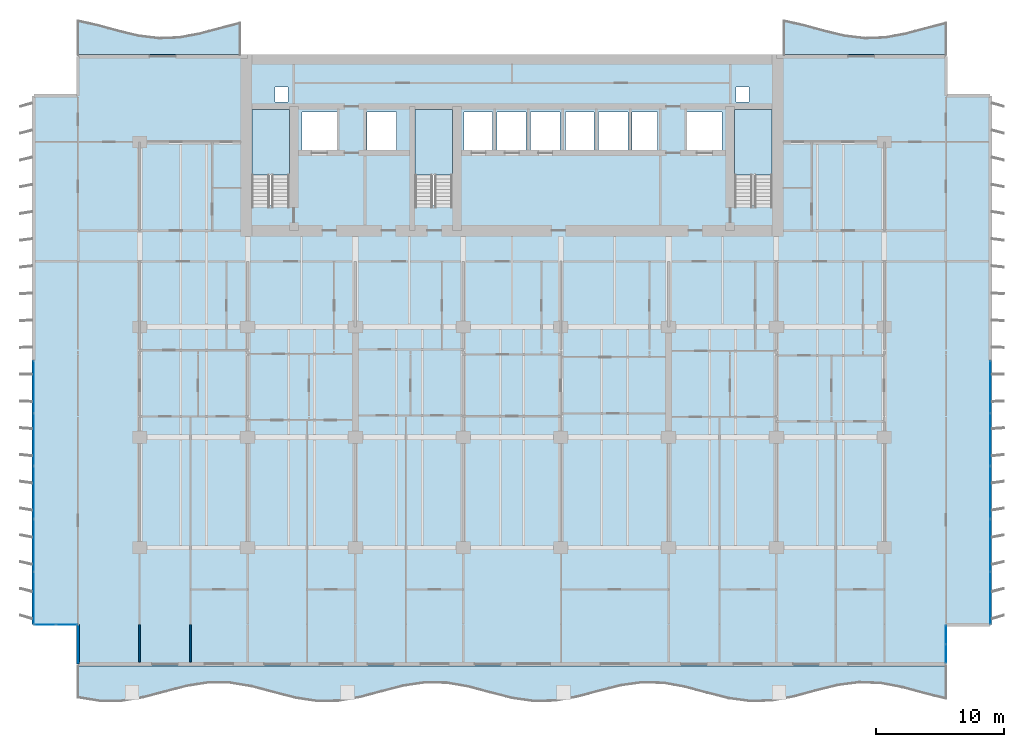
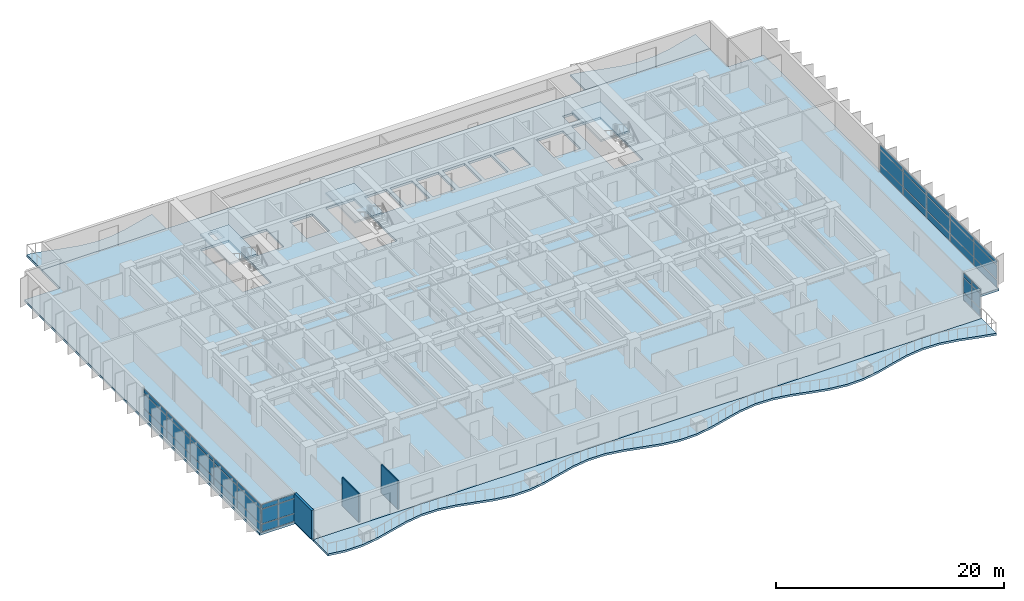
# One storey, part 5 of 17: 42 plates, 7 slabs, 3 walls, 7 elements without a shape of their own.
"""IFC4 building model written with IfcOpenShell, lengths in metres."""

from ifc_helpers import new_model, si_unit, direction, frame, frame_2d, origin, origin_2d, place, context, subcontext, project, spatial, polyline, rectangle, outline, extrude, material, layer, layer_set, type_object, element, aggregate, save


model = new_model("IFC4")

# Units and contexts
model_context = context("Model", 3, precision=1e-05, world=origin(), true_north=direction((0.0, 1.0)))
body_context = subcontext(model_context, "Body", "Model", "MODEL_VIEW")
ifc_project = project(units=[si_unit("LENGTHUNIT", "METRE"), si_unit("AREAUNIT", "SQUARE_METRE"), si_unit("VOLUMEUNIT", "CUBIC_METRE"), si_unit("PLANEANGLEUNIT", "RADIAN"), si_unit("MASSUNIT", "GRAM", prefix="KILO")], contexts=[model_context])

# Site, building, storey
site_placement = place(None, origin())
site = spatial("IfcSite", under=ifc_project, at=site_placement, CompositionType="ELEMENT")
building_placement = place(site_placement, origin())
building = spatial("IfcBuilding", under=site, at=building_placement, Name="Caelmar Bay Residences", CompositionType="ELEMENT")
storey_placement = place(building_placement, frame((0.0, 0.0, 33.300048828125)))
storey = spatial("IfcBuildingStorey", under=building, at=storey_placement, Name="L07", CompositionType="ELEMENT", Elevation=33.300048828125)

# Curtain wall, plates
ifc_material_1 = material(Name="Anodised bronze aluminium 6063-T6 and laminated glass", Category="aluminium")
ifc_layer_1 = layer(ifc_material_1, 0.179931640625)
ifc_layer_set_1 = layer_set([ifc_layer_1], Name="Anodised bronze aluminium 6063-T6 and laminated glass")
curtain_wall_type_1 = type_object("IfcCurtainWallType", Name="CW6-NTC", PredefinedType="NOTDEFINED", material=ifc_layer_set_1)
curtain_wall_1_placement = place(storey_placement, origin())
curtain_wall_1 = element("IfcCurtainWall", 1, at=curtain_wall_1_placement, inside=storey, type_object=curtain_wall_type_1, Name="CW6 curtain wall L07", PredefinedType="NOTDEFINED")
ifc_material_2 = material(Name="Bronze-tinted laminated low-E hurricane glass 28 mm", Category="glass")
ifc_layer_2 = layer(ifc_material_2, 0.028076171875)
ifc_layer_set_2 = layer_set([ifc_layer_2], Name="Bronze-tinted laminated low-E hurricane glass 28 mm")
plate_type = type_object("IfcPlateType", Name="CWP-GLZ28", PredefinedType="CURTAIN_PANEL", material=ifc_layer_set_2)
plate_1_placement = place(storey_placement, frame((2.532470703125, 6.199951171875, 0.080078125), z_axis=(0.0, 0.0, 1.0), x_axis=(1.0, 0.0, 0.0)))
plate_1 = element("IfcPlate", 2, at=plate_1_placement, type_object=plate_type, Name="CW6 panel 1.1", PredefinedType="CURTAIN_PANEL", context=body_context, shape_type="SweptSolid", body=[
    extrude(rectangle(XDim=1.60498046875, YDim=0.028076171875, at=origin_2d()), origin(), (0.0, 0.0, 1.0), 0.780029296875),
])
plate_2_placement = place(storey_placement, frame((2.532470703125, 6.199951171875, 0.93994140625), z_axis=(0.0, 0.0, 1.0), x_axis=(1.0, 0.0, 0.0)))
plate_2 = element("IfcPlate", 3, at=plate_2_placement, type_object=plate_type, Name="CW6 panel 1.2", PredefinedType="CURTAIN_PANEL", context=body_context, shape_type="SweptSolid", body=[
    extrude(rectangle(XDim=1.60498046875, YDim=0.028076171875, at=origin_2d()), origin(), (0.0, 0.0, 1.0), 1.52001953125),
])
plate_3_placement = place(storey_placement, frame((2.532470703125, 6.199951171875, 2.5400390625), z_axis=(0.0, 0.0, 1.0), x_axis=(1.0, 0.0, 0.0)))
plate_3 = element("IfcPlate", 4, at=plate_3_placement, type_object=plate_type, Name="CW6 panel 1.3", PredefinedType="CURTAIN_PANEL", context=body_context, shape_type="SweptSolid", body=[
    extrude(rectangle(XDim=1.60498046875, YDim=0.028076171875, at=origin_2d()), origin(), (0.0, 0.0, 1.0), 0.429931640625),
])
plate_4_placement = place(storey_placement, frame((4.217529296875, 6.199951171875, 0.080078125), z_axis=(0.0, 0.0, 1.0), x_axis=(1.0, 0.0, 0.0)))
plate_4 = element("IfcPlate", 5, at=plate_4_placement, type_object=plate_type, Name="CW6 panel 2.1", PredefinedType="CURTAIN_PANEL", context=body_context, shape_type="SweptSolid", body=[
    extrude(rectangle(XDim=1.60498046875, YDim=0.028076171875, at=origin_2d()), origin(), (0.0, 0.0, 1.0), 0.780029296875),
])
plate_5_placement = place(storey_placement, frame((4.217529296875, 6.199951171875, 0.93994140625), z_axis=(0.0, 0.0, 1.0), x_axis=(1.0, 0.0, 0.0)))
plate_5 = element("IfcPlate", 6, at=plate_5_placement, type_object=plate_type, Name="CW6 panel 2.2", PredefinedType="CURTAIN_PANEL", context=body_context, shape_type="SweptSolid", body=[
    extrude(rectangle(XDim=1.60498046875, YDim=0.028076171875, at=origin_2d()), origin(), (0.0, 0.0, 1.0), 1.52001953125),
])
plate_6_placement = place(storey_placement, frame((4.217529296875, 6.199951171875, 2.5400390625), z_axis=(0.0, 0.0, 1.0), x_axis=(1.0, 0.0, 0.0)))
plate_6 = element("IfcPlate", 7, at=plate_6_placement, type_object=plate_type, Name="CW6 panel 2.3", PredefinedType="CURTAIN_PANEL", context=body_context, shape_type="SweptSolid", body=[
    extrude(rectangle(XDim=1.60498046875, YDim=0.028076171875, at=origin_2d()), origin(), (0.0, 0.0, 1.0), 0.429931640625),
])
aggregate(curtain_wall_1, [plate_1, plate_2, plate_3, plate_4, plate_5, plate_6])

curtain_wall_2_placement = place(storey_placement, origin())
curtain_wall_2 = element("IfcCurtainWall", 8, at=curtain_wall_2_placement, inside=storey, type_object=curtain_wall_type_1, Name="CW6 curtain wall L07", PredefinedType="NOTDEFINED")
plate_7_placement = place(storey_placement, frame((72.699951171875, 3.9326171875, 0.080078125), z_axis=(0.0, 0.0, 1.0), x_axis=(0.0, 1.0, 0.0)))
plate_7 = element("IfcPlate", 9, at=plate_7_placement, type_object=plate_type, Name="CW6 panel 1.1", PredefinedType="CURTAIN_PANEL", context=body_context, shape_type="SweptSolid", body=[
    extrude(rectangle(XDim=1.405029296875, YDim=0.028076171875, at=origin_2d()), origin(), (0.0, 0.0, 1.0), 0.780029296875),
])
plate_8_placement = place(storey_placement, frame((72.699951171875, 3.9326171875, 0.93994140625), z_axis=(0.0, 0.0, 1.0), x_axis=(0.0, 1.0, 0.0)))
plate_8 = element("IfcPlate", 10, at=plate_8_placement, type_object=plate_type, Name="CW6 panel 1.2", PredefinedType="CURTAIN_PANEL", context=body_context, shape_type="SweptSolid", body=[
    extrude(rectangle(XDim=1.405029296875, YDim=0.028076171875, at=origin_2d()), origin(), (0.0, 0.0, 1.0), 1.52001953125),
])
plate_9_placement = place(storey_placement, frame((72.699951171875, 3.9326171875, 2.5400390625), z_axis=(0.0, 0.0, 1.0), x_axis=(0.0, 1.0, 0.0)))
plate_9 = element("IfcPlate", 11, at=plate_9_placement, type_object=plate_type, Name="CW6 panel 1.3", PredefinedType="CURTAIN_PANEL", context=body_context, shape_type="SweptSolid", body=[
    extrude(rectangle(XDim=1.405029296875, YDim=0.028076171875, at=origin_2d()), origin(), (0.0, 0.0, 1.0), 0.429931640625),
])
plate_10_placement = place(storey_placement, frame((72.699951171875, 5.41748046875, 0.080078125), z_axis=(0.0, 0.0, 1.0), x_axis=(0.0, 1.0, 0.0)))
plate_10 = element("IfcPlate", 12, at=plate_10_placement, type_object=plate_type, Name="CW6 panel 2.1", PredefinedType="CURTAIN_PANEL", context=body_context, shape_type="SweptSolid", body=[
    extrude(rectangle(XDim=1.405029296875, YDim=0.028076171875, at=origin_2d()), origin(), (0.0, 0.0, 1.0), 0.780029296875),
])
plate_11_placement = place(storey_placement, frame((72.699951171875, 5.41748046875, 0.93994140625), z_axis=(0.0, 0.0, 1.0), x_axis=(0.0, 1.0, 0.0)))
plate_11 = element("IfcPlate", 13, at=plate_11_placement, type_object=plate_type, Name="CW6 panel 2.2", PredefinedType="CURTAIN_PANEL", context=body_context, shape_type="SweptSolid", body=[
    extrude(rectangle(XDim=1.405029296875, YDim=0.028076171875, at=origin_2d()), origin(), (0.0, 0.0, 1.0), 1.52001953125),
])
plate_12_placement = place(storey_placement, frame((72.699951171875, 5.41748046875, 2.5400390625), z_axis=(0.0, 0.0, 1.0), x_axis=(0.0, 1.0, 0.0)))
plate_12 = element("IfcPlate", 14, at=plate_12_placement, type_object=plate_type, Name="CW6 panel 2.3", PredefinedType="CURTAIN_PANEL", context=body_context, shape_type="SweptSolid", body=[
    extrude(rectangle(XDim=1.405029296875, YDim=0.028076171875, at=origin_2d()), origin(), (0.0, 0.0, 1.0), 0.429931640625),
])
aggregate(curtain_wall_2, [plate_7, plate_8, plate_9, plate_10, plate_11, plate_12])

ifc_layer_3 = layer(ifc_material_1, 0.179931640625)
ifc_layer_set_3 = layer_set([ifc_layer_3], Name="Anodised bronze aluminium 6063-T6 and laminated glass")
curtain_wall_type_2 = type_object("IfcCurtainWallType", Name="CW2-Z1", PredefinedType="NOTDEFINED", material=ifc_layer_set_3)
curtain_wall_3_placement = place(storey_placement, origin())
curtain_wall_3 = element("IfcCurtainWall", 15, at=curtain_wall_3_placement, inside=storey, type_object=curtain_wall_type_2, Name="CW2 curtain wall L07", PredefinedType="NOTDEFINED")
plate_13_placement = place(storey_placement, frame((1.64990234375, 8.280029296875, 0.080078125), z_axis=(0.0, 0.0, 1.0), x_axis=(0.0, 1.0, 0.0)))
plate_13 = element("IfcPlate", 16, at=plate_13_placement, type_object=plate_type, Name="CW2 panel 1.1", PredefinedType="CURTAIN_PANEL", context=body_context, shape_type="SweptSolid", body=[
    extrude(rectangle(XDim=4.0, YDim=0.028076171875, at=origin_2d()), origin(), (0.0, 0.0, 1.0), 0.780029296875),
])
plate_14_placement = place(storey_placement, frame((1.64990234375, 8.280029296875, 0.93994140625), z_axis=(0.0, 0.0, 1.0), x_axis=(0.0, 1.0, 0.0)))
plate_14 = element("IfcPlate", 17, at=plate_14_placement, type_object=plate_type, Name="CW2 panel 1.2", PredefinedType="CURTAIN_PANEL", context=body_context, shape_type="SweptSolid", body=[
    extrude(rectangle(XDim=4.0, YDim=0.028076171875, at=origin_2d()), origin(), (0.0, 0.0, 1.0), 1.52001953125),
])
plate_15_placement = place(storey_placement, frame((1.64990234375, 8.280029296875, 2.5400390625), z_axis=(0.0, 0.0, 1.0), x_axis=(0.0, 1.0, 0.0)))
plate_15 = element("IfcPlate", 18, at=plate_15_placement, type_object=plate_type, Name="CW2 panel 1.3", PredefinedType="CURTAIN_PANEL", context=body_context, shape_type="SweptSolid", body=[
    extrude(rectangle(XDim=4.0, YDim=0.028076171875, at=origin_2d()), origin(), (0.0, 0.0, 1.0), 0.429931640625),
])
plate_16_placement = place(storey_placement, frame((1.64990234375, 12.3798828125, 0.080078125), z_axis=(0.0, 0.0, 1.0), x_axis=(0.0, 1.0, 0.0)))
plate_16 = element("IfcPlate", 19, at=plate_16_placement, type_object=plate_type, Name="CW2 panel 2.1", PredefinedType="CURTAIN_PANEL", context=body_context, shape_type="SweptSolid", body=[
    extrude(rectangle(XDim=4.0400390625, YDim=0.028076171875, at=origin_2d()), origin(), (0.0, 0.0, 1.0), 0.780029296875),
])
plate_17_placement = place(storey_placement, frame((1.64990234375, 12.3798828125, 0.93994140625), z_axis=(0.0, 0.0, 1.0), x_axis=(0.0, 1.0, 0.0)))
plate_17 = element("IfcPlate", 20, at=plate_17_placement, type_object=plate_type, Name="CW2 panel 2.2", PredefinedType="CURTAIN_PANEL", context=body_context, shape_type="SweptSolid", body=[
    extrude(rectangle(XDim=4.0400390625, YDim=0.028076171875, at=origin_2d()), origin(), (0.0, 0.0, 1.0), 1.52001953125),
])
plate_18_placement = place(storey_placement, frame((1.64990234375, 12.3798828125, 2.5400390625), z_axis=(0.0, 0.0, 1.0), x_axis=(0.0, 1.0, 0.0)))
plate_18 = element("IfcPlate", 21, at=plate_18_placement, type_object=plate_type, Name="CW2 panel 2.3", PredefinedType="CURTAIN_PANEL", context=body_context, shape_type="SweptSolid", body=[
    extrude(rectangle(XDim=4.0400390625, YDim=0.028076171875, at=origin_2d()), origin(), (0.0, 0.0, 1.0), 0.429931640625),
])
plate_19_placement = place(storey_placement, frame((1.64990234375, 16.5, 0.080078125), z_axis=(0.0, 0.0, 1.0), x_axis=(0.0, 1.0, 0.0)))
plate_19 = element("IfcPlate", 22, at=plate_19_placement, type_object=plate_type, Name="CW2 panel 3.1", PredefinedType="CURTAIN_PANEL", context=body_context, shape_type="SweptSolid", body=[
    extrude(rectangle(XDim=4.0400390625, YDim=0.028076171875, at=origin_2d()), origin(), (0.0, 0.0, 1.0), 0.780029296875),
])
plate_20_placement = place(storey_placement, frame((1.64990234375, 16.5, 0.93994140625), z_axis=(0.0, 0.0, 1.0), x_axis=(0.0, 1.0, 0.0)))
plate_20 = element("IfcPlate", 23, at=plate_20_placement, type_object=plate_type, Name="CW2 panel 3.2", PredefinedType="CURTAIN_PANEL", context=body_context, shape_type="SweptSolid", body=[
    extrude(rectangle(XDim=4.0400390625, YDim=0.028076171875, at=origin_2d()), origin(), (0.0, 0.0, 1.0), 1.52001953125),
])
plate_21_placement = place(storey_placement, frame((1.64990234375, 16.5, 2.5400390625), z_axis=(0.0, 0.0, 1.0), x_axis=(0.0, 1.0, 0.0)))
plate_21 = element("IfcPlate", 24, at=plate_21_placement, type_object=plate_type, Name="CW2 panel 3.3", PredefinedType="CURTAIN_PANEL", context=body_context, shape_type="SweptSolid", body=[
    extrude(rectangle(XDim=4.0400390625, YDim=0.028076171875, at=origin_2d()), origin(), (0.0, 0.0, 1.0), 0.429931640625),
])
plate_22_placement = place(storey_placement, frame((1.64990234375, 20.6201171875, 0.080078125), z_axis=(0.0, 0.0, 1.0), x_axis=(0.0, 1.0, 0.0)))
plate_22 = element("IfcPlate", 25, at=plate_22_placement, type_object=plate_type, Name="CW2 panel 4.1", PredefinedType="CURTAIN_PANEL", context=body_context, shape_type="SweptSolid", body=[
    extrude(rectangle(XDim=4.0400390625, YDim=0.028076171875, at=origin_2d()), origin(), (0.0, 0.0, 1.0), 0.780029296875),
])
plate_23_placement = place(storey_placement, frame((1.64990234375, 20.6201171875, 0.93994140625), z_axis=(0.0, 0.0, 1.0), x_axis=(0.0, 1.0, 0.0)))
plate_23 = element("IfcPlate", 26, at=plate_23_placement, type_object=plate_type, Name="CW2 panel 4.2", PredefinedType="CURTAIN_PANEL", context=body_context, shape_type="SweptSolid", body=[
    extrude(rectangle(XDim=4.0400390625, YDim=0.028076171875, at=origin_2d()), origin(), (0.0, 0.0, 1.0), 1.52001953125),
])
plate_24_placement = place(storey_placement, frame((1.64990234375, 20.6201171875, 2.5400390625), z_axis=(0.0, 0.0, 1.0), x_axis=(0.0, 1.0, 0.0)))
plate_24 = element("IfcPlate", 27, at=plate_24_placement, type_object=plate_type, Name="CW2 panel 4.3", PredefinedType="CURTAIN_PANEL", context=body_context, shape_type="SweptSolid", body=[
    extrude(rectangle(XDim=4.0400390625, YDim=0.028076171875, at=origin_2d()), origin(), (0.0, 0.0, 1.0), 0.429931640625),
])
plate_25_placement = place(storey_placement, frame((1.64990234375, 24.719970703125, 0.080078125), z_axis=(0.0, 0.0, 1.0), x_axis=(0.0, 1.0, 0.0)))
plate_25 = element("IfcPlate", 28, at=plate_25_placement, type_object=plate_type, Name="CW2 panel 5.1", PredefinedType="CURTAIN_PANEL", context=body_context, shape_type="SweptSolid", body=[
    extrude(rectangle(XDim=4.0, YDim=0.028076171875, at=origin_2d()), origin(), (0.0, 0.0, 1.0), 0.780029296875),
])
plate_26_placement = place(storey_placement, frame((1.64990234375, 24.719970703125, 0.93994140625), z_axis=(0.0, 0.0, 1.0), x_axis=(0.0, 1.0, 0.0)))
plate_26 = element("IfcPlate", 29, at=plate_26_placement, type_object=plate_type, Name="CW2 panel 5.2", PredefinedType="CURTAIN_PANEL", context=body_context, shape_type="SweptSolid", body=[
    extrude(rectangle(XDim=4.0, YDim=0.028076171875, at=origin_2d()), origin(), (0.0, 0.0, 1.0), 1.52001953125),
])
plate_27_placement = place(storey_placement, frame((1.64990234375, 24.719970703125, 2.5400390625), z_axis=(0.0, 0.0, 1.0), x_axis=(0.0, 1.0, 0.0)))
plate_27 = element("IfcPlate", 30, at=plate_27_placement, type_object=plate_type, Name="CW2 panel 5.3", PredefinedType="CURTAIN_PANEL", context=body_context, shape_type="SweptSolid", body=[
    extrude(rectangle(XDim=4.0, YDim=0.028076171875, at=origin_2d()), origin(), (0.0, 0.0, 1.0), 0.429931640625),
])
aggregate(curtain_wall_3, [plate_13, plate_14, plate_15, plate_16, plate_17, plate_18, plate_19, plate_20, plate_21, plate_22, plate_23, plate_24, plate_25, plate_26, plate_27])

curtain_wall_4_placement = place(storey_placement, origin())
curtain_wall_4 = element("IfcCurtainWall", 31, at=curtain_wall_4_placement, inside=storey, type_object=curtain_wall_type_2, Name="CW2 curtain wall L07", PredefinedType="NOTDEFINED")
plate_28_placement = place(storey_placement, frame((76.14990234375, 24.719970703125, 0.080078125), z_axis=(0.0, 0.0, 1.0), x_axis=(0.0, -1.0, 0.0)))
plate_28 = element("IfcPlate", 32, at=plate_28_placement, type_object=plate_type, Name="CW2 panel 1.1", PredefinedType="CURTAIN_PANEL", context=body_context, shape_type="SweptSolid", body=[
    extrude(rectangle(XDim=4.0, YDim=0.028076171875, at=origin_2d()), origin(), (0.0, 0.0, 1.0), 0.780029296875),
])
plate_29_placement = place(storey_placement, frame((76.14990234375, 24.719970703125, 0.93994140625), z_axis=(0.0, 0.0, 1.0), x_axis=(0.0, -1.0, 0.0)))
plate_29 = element("IfcPlate", 33, at=plate_29_placement, type_object=plate_type, Name="CW2 panel 1.2", PredefinedType="CURTAIN_PANEL", context=body_context, shape_type="SweptSolid", body=[
    extrude(rectangle(XDim=4.0, YDim=0.028076171875, at=origin_2d()), origin(), (0.0, 0.0, 1.0), 1.52001953125),
])
plate_30_placement = place(storey_placement, frame((76.14990234375, 24.719970703125, 2.5400390625), z_axis=(0.0, 0.0, 1.0), x_axis=(0.0, -1.0, 0.0)))
plate_30 = element("IfcPlate", 34, at=plate_30_placement, type_object=plate_type, Name="CW2 panel 1.3", PredefinedType="CURTAIN_PANEL", context=body_context, shape_type="SweptSolid", body=[
    extrude(rectangle(XDim=4.0, YDim=0.028076171875, at=origin_2d()), origin(), (0.0, 0.0, 1.0), 0.429931640625),
])
plate_31_placement = place(storey_placement, frame((76.14990234375, 20.6201171875, 0.080078125), z_axis=(0.0, 0.0, 1.0), x_axis=(0.0, -1.0, 0.0)))
plate_31 = element("IfcPlate", 35, at=plate_31_placement, type_object=plate_type, Name="CW2 panel 2.1", PredefinedType="CURTAIN_PANEL", context=body_context, shape_type="SweptSolid", body=[
    extrude(rectangle(XDim=4.0400390625, YDim=0.028076171875, at=origin_2d()), origin(), (0.0, 0.0, 1.0), 0.780029296875),
])
plate_32_placement = place(storey_placement, frame((76.14990234375, 20.6201171875, 0.93994140625), z_axis=(0.0, 0.0, 1.0), x_axis=(0.0, -1.0, 0.0)))
plate_32 = element("IfcPlate", 36, at=plate_32_placement, type_object=plate_type, Name="CW2 panel 2.2", PredefinedType="CURTAIN_PANEL", context=body_context, shape_type="SweptSolid", body=[
    extrude(rectangle(XDim=4.0400390625, YDim=0.028076171875, at=origin_2d()), origin(), (0.0, 0.0, 1.0), 1.52001953125),
])
plate_33_placement = place(storey_placement, frame((76.14990234375, 20.6201171875, 2.5400390625), z_axis=(0.0, 0.0, 1.0), x_axis=(0.0, -1.0, 0.0)))
plate_33 = element("IfcPlate", 37, at=plate_33_placement, type_object=plate_type, Name="CW2 panel 2.3", PredefinedType="CURTAIN_PANEL", context=body_context, shape_type="SweptSolid", body=[
    extrude(rectangle(XDim=4.0400390625, YDim=0.028076171875, at=origin_2d()), origin(), (0.0, 0.0, 1.0), 0.429931640625),
])
plate_34_placement = place(storey_placement, frame((76.14990234375, 16.5, 0.080078125), z_axis=(0.0, 0.0, 1.0), x_axis=(0.0, -1.0, 0.0)))
plate_34 = element("IfcPlate", 38, at=plate_34_placement, type_object=plate_type, Name="CW2 panel 3.1", PredefinedType="CURTAIN_PANEL", context=body_context, shape_type="SweptSolid", body=[
    extrude(rectangle(XDim=4.0400390625, YDim=0.028076171875, at=origin_2d()), origin(), (0.0, 0.0, 1.0), 0.780029296875),
])
plate_35_placement = place(storey_placement, frame((76.14990234375, 16.5, 0.93994140625), z_axis=(0.0, 0.0, 1.0), x_axis=(0.0, -1.0, 0.0)))
plate_35 = element("IfcPlate", 39, at=plate_35_placement, type_object=plate_type, Name="CW2 panel 3.2", PredefinedType="CURTAIN_PANEL", context=body_context, shape_type="SweptSolid", body=[
    extrude(rectangle(XDim=4.0400390625, YDim=0.028076171875, at=origin_2d()), origin(), (0.0, 0.0, 1.0), 1.52001953125),
])
plate_36_placement = place(storey_placement, frame((76.14990234375, 16.5, 2.5400390625), z_axis=(0.0, 0.0, 1.0), x_axis=(0.0, -1.0, 0.0)))
plate_36 = element("IfcPlate", 40, at=plate_36_placement, type_object=plate_type, Name="CW2 panel 3.3", PredefinedType="CURTAIN_PANEL", context=body_context, shape_type="SweptSolid", body=[
    extrude(rectangle(XDim=4.0400390625, YDim=0.028076171875, at=origin_2d()), origin(), (0.0, 0.0, 1.0), 0.429931640625),
])
plate_37_placement = place(storey_placement, frame((76.14990234375, 12.3798828125, 0.080078125), z_axis=(0.0, 0.0, 1.0), x_axis=(0.0, -1.0, 0.0)))
plate_37 = element("IfcPlate", 41, at=plate_37_placement, type_object=plate_type, Name="CW2 panel 4.1", PredefinedType="CURTAIN_PANEL", context=body_context, shape_type="SweptSolid", body=[
    extrude(rectangle(XDim=4.0400390625, YDim=0.028076171875, at=origin_2d()), origin(), (0.0, 0.0, 1.0), 0.780029296875),
])
plate_38_placement = place(storey_placement, frame((76.14990234375, 12.3798828125, 0.93994140625), z_axis=(0.0, 0.0, 1.0), x_axis=(0.0, -1.0, 0.0)))
plate_38 = element("IfcPlate", 42, at=plate_38_placement, type_object=plate_type, Name="CW2 panel 4.2", PredefinedType="CURTAIN_PANEL", context=body_context, shape_type="SweptSolid", body=[
    extrude(rectangle(XDim=4.0400390625, YDim=0.028076171875, at=origin_2d()), origin(), (0.0, 0.0, 1.0), 1.52001953125),
])
plate_39_placement = place(storey_placement, frame((76.14990234375, 12.3798828125, 2.5400390625), z_axis=(0.0, 0.0, 1.0), x_axis=(0.0, -1.0, 0.0)))
plate_39 = element("IfcPlate", 43, at=plate_39_placement, type_object=plate_type, Name="CW2 panel 4.3", PredefinedType="CURTAIN_PANEL", context=body_context, shape_type="SweptSolid", body=[
    extrude(rectangle(XDim=4.0400390625, YDim=0.028076171875, at=origin_2d()), origin(), (0.0, 0.0, 1.0), 0.429931640625),
])
plate_40_placement = place(storey_placement, frame((76.14990234375, 8.280029296875, 0.080078125), z_axis=(0.0, 0.0, 1.0), x_axis=(0.0, -1.0, 0.0)))
plate_40 = element("IfcPlate", 44, at=plate_40_placement, type_object=plate_type, Name="CW2 panel 5.1", PredefinedType="CURTAIN_PANEL", context=body_context, shape_type="SweptSolid", body=[
    extrude(rectangle(XDim=4.0, YDim=0.028076171875, at=origin_2d()), origin(), (0.0, 0.0, 1.0), 0.780029296875),
])
plate_41_placement = place(storey_placement, frame((76.14990234375, 8.280029296875, 0.93994140625), z_axis=(0.0, 0.0, 1.0), x_axis=(0.0, -1.0, 0.0)))
plate_41 = element("IfcPlate", 45, at=plate_41_placement, type_object=plate_type, Name="CW2 panel 5.2", PredefinedType="CURTAIN_PANEL", context=body_context, shape_type="SweptSolid", body=[
    extrude(rectangle(XDim=4.0, YDim=0.028076171875, at=origin_2d()), origin(), (0.0, 0.0, 1.0), 1.52001953125),
])
plate_42_placement = place(storey_placement, frame((76.14990234375, 8.280029296875, 2.5400390625), z_axis=(0.0, 0.0, 1.0), x_axis=(0.0, -1.0, 0.0)))
plate_42 = element("IfcPlate", 46, at=plate_42_placement, type_object=plate_type, Name="CW2 panel 5.3", PredefinedType="CURTAIN_PANEL", context=body_context, shape_type="SweptSolid", body=[
    extrude(rectangle(XDim=4.0, YDim=0.028076171875, at=origin_2d()), origin(), (0.0, 0.0, 1.0), 0.429931640625),
])
aggregate(curtain_wall_4, [plate_28, plate_29, plate_30, plate_31, plate_32, plate_33, plate_34, plate_35, plate_36, plate_37, plate_38, plate_39, plate_40, plate_41, plate_42])

# Slabs
ifc_material_3 = material(Name="Concrete f'c 40 MPa (6,000 psi)", Category="concrete")
ifc_layer_4 = layer(ifc_material_3, 0.219970703125)
ifc_layer_set_4 = layer_set([ifc_layer_4], Name="Concrete f'c 40 MPa (6,000 psi)")
slab_type_1 = type_object("IfcSlabType", Name="SLB-BAL-220", PredefinedType="FLOOR", material=ifc_layer_set_4)
slab_1_placement = place(storey_placement, frame((0.0, 0.0, -0.219970703125)))
element("IfcSlab", 47, at=slab_1_placement, inside=storey, type_object=slab_type_1, Name="L07 Sinusoidal Tree-Balcony Slab south", PredefinedType="FLOOR", context=body_context, shape_type="SweptSolid", body=[
    extrude(outline(polyline([(5.10009765625, 0.459228515625), (6.7900390625, 0.185791015625), (8.47998046875, 0.1884765625), (10.169921875, 0.466064453125), (11.860107421875, 0.9111328125), (13.550048828125, 1.35205078125), (15.239990234375, 1.618408203125), (16.929931640625, 1.60693359375), (18.6201171875, 1.322509765625), (20.31005859375, 0.874755859375), (22.0, 0.436767578125), (23.68994140625, 0.177734375), (25.3798828125, 0.19775390625), (27.070068359375, 0.4892578125), (28.760009765625, 0.939208984375), (30.449951171875, 1.374267578125), (32.139892578125, 1.6259765625), (33.830078125, 1.59716796875), (35.52001953125, 1.299072265625), (37.2099609375, 0.8466796875), (38.89990234375, 0.4150390625), (40.590087890625, 0.170654296875), (42.280029296875, 0.208251953125), (43.969970703125, 0.512939453125), (45.659912109375, 0.96728515625), (47.35009765625, 1.3955078125), (49.0400390625, 1.63232421875), (50.72998046875, 1.586181640625), (52.419921875, 1.27490234375), (54.110107421875, 0.81884765625), (55.800048828125, 0.39404296875), (57.489990234375, 0.164794921875), (59.179931640625, 0.219482421875), (60.8701171875, 0.537109375), (62.56005859375, 0.9951171875), (64.25, 1.416259765625), (65.93994140625, 1.637939453125), (67.6298828125, 1.574462890625), (69.320068359375, 1.25048828125), (71.010009765625, 0.791015625), (72.699951171875, 0.373779296875), (72.699951171875, 3.0), (5.10009765625, 3.0), (5.10009765625, 0.459228515625)])), origin(), (0.0, 0.0, 1.0), 0.219970703125),
])
slab_2_placement = place(storey_placement, frame((0.0, 0.0, -0.219970703125)))
element("IfcSlab", 48, at=slab_2_placement, inside=storey, type_object=slab_type_1, Name="L07 Sinusoidal Tree-Balcony Slab north_west", PredefinedType="FLOOR", context=body_context, shape_type="SweptSolid", body=[
    extrude(outline(polyline([(5.10009765625, 50.60009765625), (17.699951171875, 50.60009765625), (17.699951171875, 53.140869140625), (16.125, 52.7294921875), (14.550048828125, 52.30810546875), (12.97509765625, 52.018798828125), (11.39990234375, 51.959228515625), (9.824951171875, 52.1494140625), (8.25, 52.52490234375), (6.675048828125, 52.959716796875), (5.10009765625, 53.306884765625), (5.10009765625, 50.60009765625)])), origin(), (0.0, 0.0, 1.0), 0.219970703125),
])
slab_3_placement = place(storey_placement, frame((0.0, 0.0, -0.219970703125)))
element("IfcSlab", 49, at=slab_3_placement, inside=storey, type_object=slab_type_1, Name="L07 Sinusoidal Tree-Balcony Slab north_east", PredefinedType="FLOOR", context=body_context, shape_type="SweptSolid", body=[
    extrude(outline(polyline([(60.10009765625, 50.60009765625), (72.699951171875, 50.60009765625), (72.699951171875, 53.140869140625), (71.125, 52.7294921875), (69.550048828125, 52.30810546875), (67.97509765625, 52.018798828125), (66.39990234375, 51.959228515625), (64.824951171875, 52.1494140625), (63.25, 52.52490234375), (61.675048828125, 52.959716796875), (60.10009765625, 53.306884765625), (60.10009765625, 50.60009765625)])), origin(), (0.0, 0.0, 1.0), 0.219970703125),
])

# Stair, slab
stair_type = type_object("IfcStairType", Name="ST-TYP-165", PredefinedType="HALF_TURN_STAIR", material=ifc_material_3)
stair_1_placement = place(storey_placement, origin())
stair_1 = element("IfcStair", 50, at=stair_1_placement, inside=storey, type_object=stair_type, Name="L07 West Smokeproof Exit Stair ST1", PredefinedType="HALF_TURN_STAIR")
ifc_layer_5 = layer(ifc_material_3, 0.199951171875)
ifc_layer_set_5 = layer_set([ifc_layer_5], Name="Concrete f'c 40 MPa (6,000 psi)")
slab_type_2 = type_object("IfcSlabType", Name="SLB-LND-200", PredefinedType="LANDING", material=ifc_layer_set_5)
slab_4_placement = place(storey_placement, frame((0.0, 0.0, 1.449951171875)))
slab_4 = element("IfcSlab", 51, at=slab_4_placement, type_object=slab_type_2, Name="ST1 landing 1", PredefinedType="LANDING", context=body_context, shape_type="SweptSolid", body=[
    extrude(outline(polyline([(21.550048828125, 41.219970703125), (21.550048828125, 46.35009765625), (18.64990234375, 46.35009765625), (18.64990234375, 41.219970703125), (21.550048828125, 41.219970703125)])), origin(), (0.0, 0.0, 1.0), 0.199951171875),
])
aggregate(stair_1, [slab_4])

stair_2_placement = place(storey_placement, origin())
stair_2 = element("IfcStair", 52, at=stair_2_placement, inside=storey, type_object=stair_type, Name="L07 East Smokeproof Exit Stair ST2", PredefinedType="HALF_TURN_STAIR")
slab_5_placement = place(storey_placement, frame((0.0, 0.0, 1.449951171875)))
slab_5 = element("IfcSlab", 53, at=slab_5_placement, type_object=slab_type_2, Name="ST2 landing 1", PredefinedType="LANDING", context=body_context, shape_type="SweptSolid", body=[
    extrude(outline(polyline([(59.14990234375, 41.219970703125), (59.14990234375, 46.35009765625), (56.25, 46.35009765625), (56.25, 41.219970703125), (59.14990234375, 41.219970703125)])), origin(), (0.0, 0.0, 1.0), 0.199951171875),
])
aggregate(stair_2, [slab_5])

stair_3_placement = place(storey_placement, origin())
stair_3 = element("IfcStair", 54, at=stair_3_placement, inside=storey, type_object=stair_type, Name="L07 Central Smokeproof Exit Stair ST3", PredefinedType="HALF_TURN_STAIR")
slab_6_placement = place(storey_placement, frame((0.0, 0.0, 1.449951171875)))
slab_6 = element("IfcSlab", 55, at=slab_6_placement, type_object=slab_type_2, Name="ST3 landing 1", PredefinedType="LANDING", context=body_context, shape_type="SweptSolid", body=[
    extrude(outline(polyline([(34.25, 41.219970703125), (34.25, 46.35009765625), (31.35009765625, 46.35009765625), (31.35009765625, 41.219970703125), (34.25, 41.219970703125)])), origin(), (0.0, 0.0, 1.0), 0.199951171875),
])
aggregate(stair_3, [slab_6])

# Slab
ifc_layer_6 = layer(ifc_material_3, 0.25)
ifc_layer_set_6 = layer_set([ifc_layer_6], Name="Concrete f'c 40 MPa (6,000 psi)")
slab_type_3 = type_object("IfcSlabType", Name="SLB-RES-250", PredefinedType="FLOOR", material=ifc_layer_set_6)
slab_7_placement = place(storey_placement, frame((0.0, 0.0, -0.25)))
element("IfcSlab", 56, at=slab_7_placement, inside=storey, type_object=slab_type_3, Name="L07 Structural Floor Slab", PredefinedType="FLOOR", context=body_context, shape_type="SweptSolid", body=[
    extrude(outline(polyline([(5.10009765625, 3.0), (72.699951171875, 3.0), (72.699951171875, 6.199951171875), (76.300048828125, 6.199951171875), (76.300048828125, 47.39990234375), (72.699951171875, 47.39990234375), (72.699951171875, 50.60009765625), (5.10009765625, 50.60009765625), (5.10009765625, 47.39990234375), (1.5, 47.39990234375), (1.5, 6.199951171875), (5.10009765625, 6.199951171875), (5.10009765625, 3.0)]), holes=[polyline([(18.64990234375, 38.85009765625), (21.550048828125, 38.85009765625), (21.550048828125, 46.35009765625), (18.64990234375, 46.35009765625), (18.64990234375, 38.85009765625)]), polyline([(56.25, 38.85009765625), (59.14990234375, 38.85009765625), (59.14990234375, 46.35009765625), (56.25, 46.35009765625), (56.25, 38.85009765625)]), polyline([(31.35009765625, 38.85009765625), (34.25, 38.85009765625), (34.25, 46.35009765625), (31.35009765625, 46.35009765625), (31.35009765625, 38.85009765625)]), polyline([(22.550048828125, 43.050048828125), (25.25, 43.050048828125), (25.25, 46.14990234375), (22.550048828125, 46.14990234375), (22.550048828125, 43.050048828125)]), polyline([(52.550048828125, 43.050048828125), (55.25, 43.050048828125), (55.25, 46.14990234375), (52.550048828125, 46.14990234375), (52.550048828125, 43.050048828125)]), polyline([(35.14990234375, 43.14990234375), (37.39990234375, 43.14990234375), (37.39990234375, 46.14990234375), (35.14990234375, 46.14990234375), (35.14990234375, 43.14990234375)]), polyline([(37.75, 43.14990234375), (40.0, 43.14990234375), (40.0, 46.14990234375), (37.75, 46.14990234375), (37.75, 43.14990234375)]), polyline([(40.35009765625, 43.14990234375), (42.64990234375, 43.14990234375), (42.64990234375, 46.14990234375), (40.35009765625, 46.14990234375), (40.35009765625, 43.14990234375)]), polyline([(43.050048828125, 43.14990234375), (45.300048828125, 43.14990234375), (45.300048828125, 46.14990234375), (43.050048828125, 46.14990234375), (43.050048828125, 43.14990234375)]), polyline([(45.64990234375, 43.14990234375), (47.949951171875, 43.14990234375), (47.949951171875, 46.14990234375), (45.64990234375, 46.14990234375), (45.64990234375, 43.14990234375)]), polyline([(48.25, 43.14990234375), (50.25, 43.14990234375), (50.25, 46.14990234375), (48.25, 46.14990234375), (48.25, 43.14990234375)]), polyline([(27.60009765625, 43.14990234375), (29.89990234375, 43.14990234375), (29.89990234375, 46.14990234375), (27.60009765625, 46.14990234375), (27.60009765625, 43.14990234375)]), polyline([(20.449951171875, 46.89990234375), (21.449951171875, 46.89990234375), (21.449951171875, 48.10009765625), (20.449951171875, 48.10009765625), (20.449951171875, 46.89990234375)]), polyline([(56.35009765625, 46.89990234375), (57.35009765625, 46.89990234375), (57.35009765625, 48.10009765625), (56.35009765625, 48.10009765625), (56.35009765625, 46.89990234375)])]), origin(), (0.0, 0.0, 1.0), 0.25),
])

# Walls
ifc_material_4 = material(Name="Precast concrete f'c 40 MPa (6,000 psi)", Category="concrete")
ifc_layer_7 = layer(ifc_material_4, 0.25)
ifc_layer_set_7 = layer_set([ifc_layer_7], Name="Precast concrete f'c 40 MPa (6,000 psi)")
wall_type_1 = type_object("IfcWallType", Name="W-EXT-250", PredefinedType="ELEMENTEDWALL", material=ifc_layer_set_7)
wall_placement = place(storey_placement, frame((5.10009765625, 6.199951171875, 0.0), z_axis=(0.0, 0.0, 1.0), x_axis=(0.0, -1.0, 0.0)))
element("IfcWall", 57, at=wall_placement, inside=storey, type_object=wall_type_1, Name="L07 SW Notch Return Wall", PredefinedType="ELEMENTEDWALL", context=body_context, shape_type="SweptSolid", body=[
    extrude(rectangle(XDim=3.050048828125, YDim=0.25, at=frame_2d((1.52490234375, 0.0))), origin(), (0.0, 0.0, 1.0), 3.050048828125),
])
ifc_material_5 = material(Name="Acoustic metal-stud gypsum partition 120 mm")
ifc_layer_8 = layer(ifc_material_5, 0.1201171875)
ifc_layer_set_8 = layer_set([ifc_layer_8], Name="Acoustic metal-stud gypsum partition 120 mm")
wall_type_2 = type_object("IfcWallType", Name="W-PRT-120", PredefinedType="PARTITIONING", material=ifc_layer_set_8)
for number, where, z_axis, x_axis, name in (
    (58, (9.89990234375, 3.294921875, 0.0), (0.0, 0.0, 1.0), (0.0, 1.0, 0.0), "L07 Partition Wall V007"),
    (59, (13.847900390625, 3.294921875, 0.0), (0.0, 0.0, 1.0), (0.0, 1.0, 0.0), "L07 Partition Wall V013"),
):
    element("IfcWall", number, at=place(storey_placement, frame(where, z_axis=z_axis, x_axis=x_axis)), inside=storey, type_object=wall_type_2, Name=name, PredefinedType="PARTITIONING", context=body_context, shape_type="SweptSolid", body=[
        extrude(rectangle(XDim=2.905029296875, YDim=0.1201171875, at=frame_2d((1.45263671875, 0.0))), origin(), (0.0, 0.0, 1.0), 3.050048828125),
    ])

save(model, "model.ifc")
